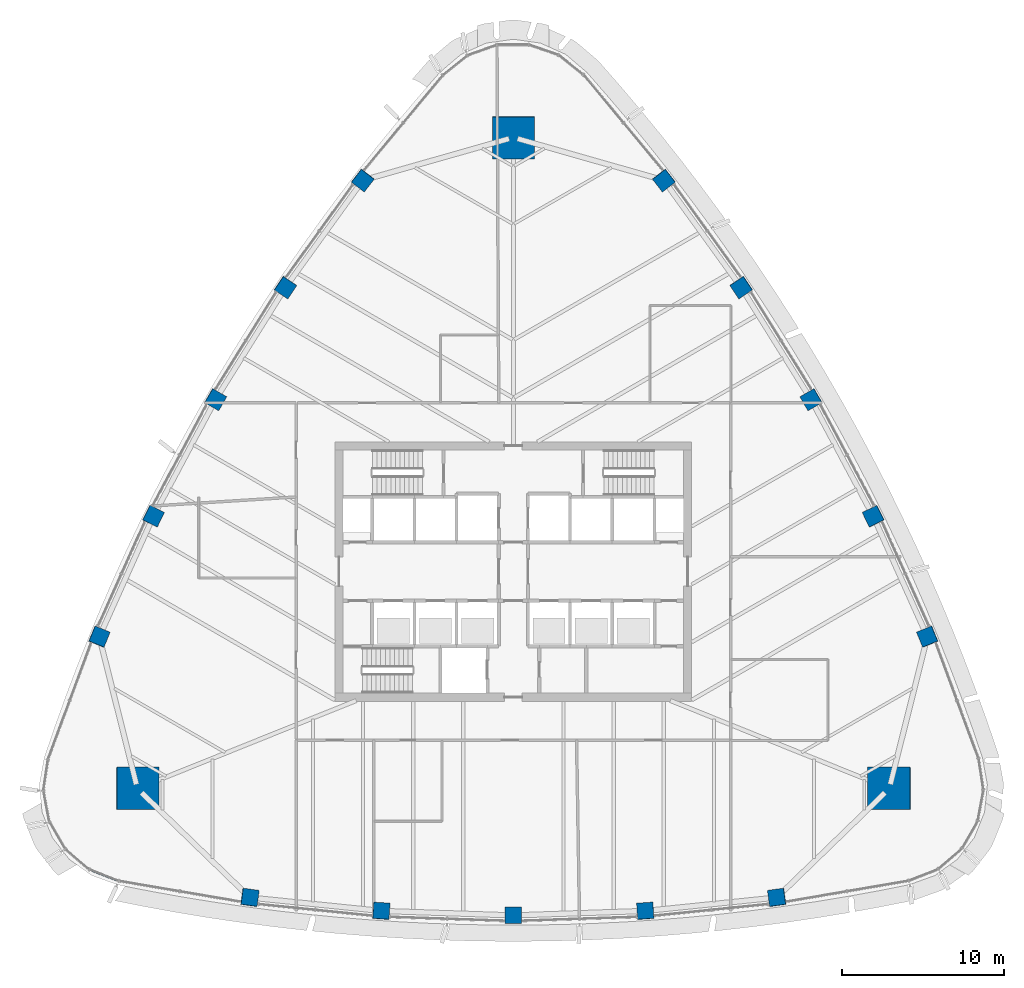
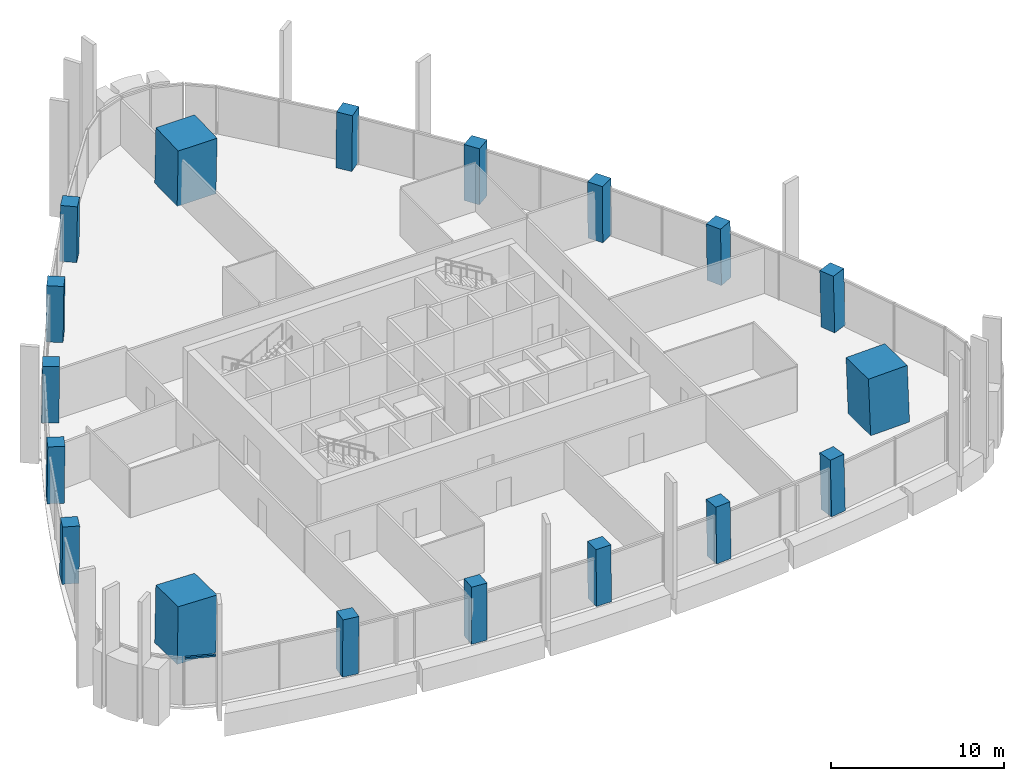
# One storey, part 1 of 19: 18 columns, 1 member, 1 element without a shape of its own.
"""IFC4 building model written with IfcOpenShell, lengths in metres."""

from ifc_helpers import new_model, si_unit, direction, frame, origin, origin_2d, place, context, subcontext, project, spatial, rectangle, extrude, material, layer, layer_set, material_profile, profile_set, type_object, element, aggregate, save


model = new_model("IFC4")

# Units and contexts
model_context = context("Model", 3, precision=1e-05, world=origin(), true_north=direction((0.0, 1.0)))
body_context = subcontext(model_context, "Body", "Model", "MODEL_VIEW")
ifc_project = project(units=[si_unit("LENGTHUNIT", "METRE"), si_unit("AREAUNIT", "SQUARE_METRE"), si_unit("VOLUMEUNIT", "CUBIC_METRE"), si_unit("PLANEANGLEUNIT", "RADIAN"), si_unit("MASSUNIT", "GRAM", prefix="KILO")], contexts=[model_context])

# Site, building, storey
site_placement = place(None, origin())
site = spatial("IfcSite", under=ifc_project, at=site_placement, CompositionType="ELEMENT")
building_placement = place(site_placement, origin())
building = spatial("IfcBuilding", under=site, at=building_placement, Name="Sierra Prisma Convention Tower", CompositionType="ELEMENT")
storey_placement = place(building_placement, frame((0.0, 0.0, 193.800048828125)))
storey = spatial("IfcBuildingStorey", under=building, at=storey_placement, Name="L43", CompositionType="ELEMENT", Elevation=193.800048828125)

# Columns
ifc_material_1 = material(Name="Concrete C60/75", Category="concrete")
ifc_material_profile_1 = material_profile(ifc_material_1, rectangle(XDim=2.60009765625, YDim=2.60009765625, at=origin_2d()), Name="Mega column RC 2600 C60/75")
ifc_profile_set_1 = profile_set([ifc_material_profile_1], Name="Concrete C60/75")
column_type_1 = type_object("IfcColumnType", Name="Mega column RC 2600 C60/75", PredefinedType="COLUMN", material=ifc_profile_set_1)
for number, where, z_axis, x_axis, name in (
    (1, (23.18701171875, -13.386962890625, 0.0), (-0.028000489904, 0.016165860184, 0.999477182096), (0.999607909415, 0.000452829555, 0.027996828039), "Mega column SE L43"),
    (2, (0.0, 26.77392578125, 0.0), (0.0, -0.032270781071, 0.999479162709), (1.0, 0.0, 0.0), "Mega column N L43"),
    (3, (-23.18701171875, -13.386962890625, 0.0), (0.028000489904, 0.016165860184, 0.999477182096), (0.999607909415, -0.000452829555, -0.027996828039), "Mega column SW L43"),
):
    element("IfcColumn", number, at=place(storey_placement, frame(where, z_axis=z_axis, x_axis=x_axis)), inside=storey, type_object=column_type_1, Name=name, PredefinedType="COLUMN", context=body_context, shape_type="SweptSolid", body=[
        extrude(rectangle(XDim=2.60009765625, YDim=2.60009765625, at=origin_2d()), origin(), (0.0, 0.0, 1.0), 4.002197265625),
    ])
ifc_material_2 = material(Name="Concrete C60/75", Category="concrete")
ifc_material_profile_2 = material_profile(ifc_material_2, rectangle(XDim=1.0, YDim=1.0, at=origin_2d()), Name="Perimeter column RC 1000 C60/75")
ifc_profile_set_2 = profile_set([ifc_material_profile_2], Name="Concrete C60/75")
column_type_2 = type_object("IfcColumnType", Name="Perimeter column RC 1000 C60/75", PredefinedType="COLUMN", material=ifc_profile_set_2)
column_1_placement = place(storey_placement, frame((-16.25439453125, -20.105712890625, 0.0), z_axis=(0.017574453011, 0.010434831475, 0.999791104628), x_axis=(-0.99068130509, 0.135257041378, 0.01600264049)))
element("IfcColumn", 4, at=column_1_placement, inside=storey, type_object=column_type_2, Name="Perimeter column S-1 L43", PredefinedType="COLUMN", context=body_context, shape_type="SweptSolid", body=[
    extrude(rectangle(XDim=1.0, YDim=1.0, at=origin_2d()), origin(), (0.0, 0.0, 1.0), 4.000732421875),
])
column_2_placement = place(storey_placement, frame((-8.14599609375, -20.9326171875, 0.0), z_axis=(0.008849193104, 0.011229320904, 0.999897791843), x_axis=(-0.997666886655, 0.067791509267, 0.008068118949)))
element("IfcColumn", 5, at=column_2_placement, inside=storey, type_object=column_type_2, Name="Perimeter column S-2 L43", PredefinedType="COLUMN", context=body_context, shape_type="SweptSolid", body=[
    extrude(rectangle(XDim=1.0, YDim=1.0, at=origin_2d()), origin(), (0.0, 0.0, 1.0), 4.00048828125),
])
column_3_placement = place(storey_placement, frame((0.0, -21.20849609375, 0.0), z_axis=(0.0, 0.01141283087, 0.999934871525), x_axis=(1.0, 0.0, 0.0)))
element("IfcColumn", 6, at=column_3_placement, inside=storey, type_object=column_type_2, Name="Perimeter column S-3 L43", PredefinedType="COLUMN", context=body_context, shape_type="SweptSolid", body=[
    extrude(rectangle(XDim=1.0, YDim=1.0, at=origin_2d()), origin(), (0.0, 0.0, 1.0), 4.000244140625),
])
column_4_placement = place(storey_placement, frame((8.14599609375, -20.9326171875, 0.0), z_axis=(-0.008849193104, 0.011229320904, 0.999897791843), x_axis=(0.997666886655, 0.067791509267, 0.008068118949)))
element("IfcColumn", 7, at=column_4_placement, inside=storey, type_object=column_type_2, Name="Perimeter column S-4 L43", PredefinedType="COLUMN", context=body_context, shape_type="SweptSolid", body=[
    extrude(rectangle(XDim=1.0, YDim=1.0, at=origin_2d()), origin(), (0.0, 0.0, 1.0), 4.00048828125),
])
for number, where, z_axis, x_axis, name in (
    (8, (16.25439453125, -20.105712890625, 0.0), (-0.017574453011, 0.010434831475, 0.999791104628), (0.99068130509, 0.135257041378, 0.01600264049), "Perimeter column S-5 L43"),
    (9, (25.539306640625, -4.02392578125, 0.0), (-0.017818543466, 0.010007675097, 0.999791151165), (-0.378372066063, 0.925515172846, -0.016007637429), "Perimeter column NE-1 L43"),
):
    element("IfcColumn", number, at=place(storey_placement, frame(where, z_axis=z_axis, x_axis=x_axis)), inside=storey, type_object=column_type_2, Name=name, PredefinedType="COLUMN", context=body_context, shape_type="SweptSolid", body=[
        extrude(rectangle(XDim=1.0, YDim=1.0, at=origin_2d()), origin(), (0.0, 0.0, 1.0), 4.000732421875),
    ])
column_5_placement = place(storey_placement, frame((22.201171875, 3.41162109375, 0.0), z_axis=(-0.014097689605, 0.002074984617, 0.999898469639), x_axis=(-0.440182224659, 0.89787220315, -0.008069442676)))
element("IfcColumn", 10, at=column_5_placement, inside=storey, type_object=column_type_2, Name="Perimeter column NE-2 L43", PredefinedType="COLUMN", context=body_context, shape_type="SweptSolid", body=[
    extrude(rectangle(XDim=1.0, YDim=1.0, at=origin_2d()), origin(), (0.0, 0.0, 1.0), 4.00048828125),
])
column_6_placement = place(storey_placement, frame((18.3671875, 10.604248046875, 0.0), z_axis=(-0.009887049298, -0.00573692984, 0.999934664812), x_axis=(-0.499975560967, 0.866039512843, 2.5126546e-05)))
element("IfcColumn", 11, at=column_6_placement, inside=storey, type_object=column_type_2, Name="Perimeter column NE-3 L43", PredefinedType="COLUMN", context=body_context, shape_type="SweptSolid", body=[
    extrude(rectangle(XDim=1.0, YDim=1.0, at=origin_2d()), origin(), (0.0, 0.0, 1.0), 4.000244140625),
])
column_7_placement = place(storey_placement, frame((14.05517578125, 17.520751953125, 0.0), z_axis=(-0.005309522349, -0.013182262383, 0.999899013366), x_axis=(-0.557472120529, 0.830157266209, 0.007984246522)))
element("IfcColumn", 12, at=column_7_placement, inside=storey, type_object=column_type_2, Name="Perimeter column NE-4 L43", PredefinedType="COLUMN", context=body_context, shape_type="SweptSolid", body=[
    extrude(rectangle(XDim=1.0, YDim=1.0, at=origin_2d()), origin(), (0.0, 0.0, 1.0), 4.00048828125),
])
for number, where, z_axis, x_axis, name in (
    (13, (9.284912109375, 24.129638671875, 0.0), (-0.000305111613, -0.020503500416, 0.999789734583), (-0.612402156612, 0.790384013671, 0.016022156849), "Perimeter column NE-5 L43"),
    (14, (-9.284912109375, 24.129638671875, 0.0), (0.000305111613, -0.020503500416, 0.999789734583), (0.612402156612, 0.790384013671, 0.016022156849), "Perimeter column NW-1 L43"),
):
    element("IfcColumn", number, at=place(storey_placement, frame(where, z_axis=z_axis, x_axis=x_axis)), inside=storey, type_object=column_type_2, Name=name, PredefinedType="COLUMN", context=body_context, shape_type="SweptSolid", body=[
        extrude(rectangle(XDim=1.0, YDim=1.0, at=origin_2d()), origin(), (0.0, 0.0, 1.0), 4.000732421875),
    ])
column_8_placement = place(storey_placement, frame((-14.05517578125, 17.520751953125, 0.0), z_axis=(0.005309522349, -0.013182262383, 0.999899013366), x_axis=(0.557472120529, 0.830157266209, 0.007984246522)))
element("IfcColumn", 15, at=column_8_placement, inside=storey, type_object=column_type_2, Name="Perimeter column NW-2 L43", PredefinedType="COLUMN", context=body_context, shape_type="SweptSolid", body=[
    extrude(rectangle(XDim=1.0, YDim=1.0, at=origin_2d()), origin(), (0.0, 0.0, 1.0), 4.00048828125),
])
column_9_placement = place(storey_placement, frame((-18.3671875, 10.604248046875, 0.0), z_axis=(0.009887049298, -0.00573692984, 0.999934664812), x_axis=(0.499975560967, 0.866039512843, 2.5126546e-05)))
element("IfcColumn", 16, at=column_9_placement, inside=storey, type_object=column_type_2, Name="Perimeter column NW-3 L43", PredefinedType="COLUMN", context=body_context, shape_type="SweptSolid", body=[
    extrude(rectangle(XDim=1.0, YDim=1.0, at=origin_2d()), origin(), (0.0, 0.0, 1.0), 4.000244140625),
])
column_10_placement = place(storey_placement, frame((-22.201171875, 3.41162109375, 0.0), z_axis=(0.014097689605, 0.002074984617, 0.999898469639), x_axis=(0.440182224659, 0.89787220315, -0.008069442676)))
element("IfcColumn", 17, at=column_10_placement, inside=storey, type_object=column_type_2, Name="Perimeter column NW-4 L43", PredefinedType="COLUMN", context=body_context, shape_type="SweptSolid", body=[
    extrude(rectangle(XDim=1.0, YDim=1.0, at=origin_2d()), origin(), (0.0, 0.0, 1.0), 4.00048828125),
])
column_11_placement = place(storey_placement, frame((-25.539306640625, -4.02392578125, 0.0), z_axis=(0.017818543466, 0.010007675097, 0.999791151165), x_axis=(0.378372066063, 0.925515172846, -0.016007637429)))
element("IfcColumn", 18, at=column_11_placement, inside=storey, type_object=column_type_2, Name="Perimeter column NW-5 L43", PredefinedType="COLUMN", context=body_context, shape_type="SweptSolid", body=[
    extrude(rectangle(XDim=1.0, YDim=1.0, at=origin_2d()), origin(), (0.0, 0.0, 1.0), 4.000732421875),
])

# Curtain wall, member
ifc_material_3 = material(Name="Aluminium and glass curtain wall", Category="aluminium")
ifc_layer = layer(ifc_material_3, 0.179931640625)
ifc_layer_set = layer_set([ifc_layer], Name="CW-1 Plain shaft curtain wall")
curtain_wall_type = type_object("IfcCurtainWallType", Name="CW-1 Plain shaft curtain wall", PredefinedType="NOTDEFINED", material=ifc_layer_set)
curtain_wall_placement = place(storey_placement, origin())
curtain_wall = element("IfcCurtainWall", 19, at=curtain_wall_placement, inside=storey, type_object=curtain_wall_type, Name="CW-1 SW5 L43", PredefinedType="NOTDEFINED")
ifc_material_4 = material(Name="Aluminium 6063-T6 bronze anodised", Category="aluminium")
ifc_material_profile_3 = material_profile(ifc_material_4, rectangle(XDim=0.139892578125, YDim=0.1201171875, at=origin_2d()), Name="ALU TRANSOM 120x140")
ifc_profile_set_3 = profile_set([ifc_material_profile_3], Name="Aluminium 6063-T6 bronze anodised")
member_type = type_object("IfcMemberType", Name="CW transom bronze", PredefinedType="USERDEFINED", material=ifc_profile_set_3)
member_placement = place(storey_placement, frame((-26.111572265625, -18.390869140625, 3.33984375), z_axis=(0.931622152396, -0.363428349423, 0.0), x_axis=(0.363428349423, 0.931622152396, 0.0)))
member = element("IfcMember", 20, at=member_placement, type_object=member_type, Name="CW-1 transom SW5.1", ObjectType="TRANSOM", PredefinedType="USERDEFINED", context=body_context, shape_type="SweptSolid", body=[
    extrude(rectangle(XDim=0.139892578125, YDim=0.1201171875, at=origin_2d()), origin(), (0.0, 0.0, 1.0), 1.81103515625),
])
aggregate(curtain_wall, [member])

save(model, "model.ifc")
